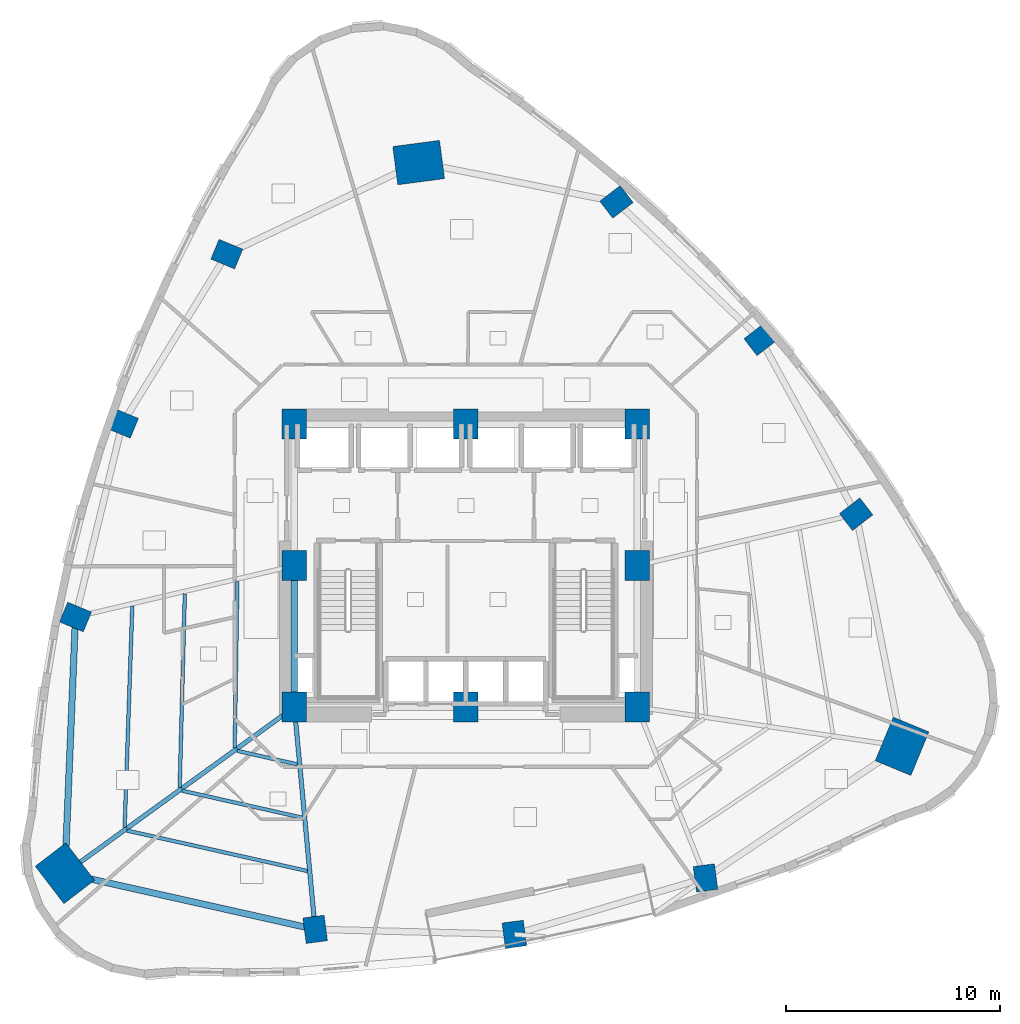
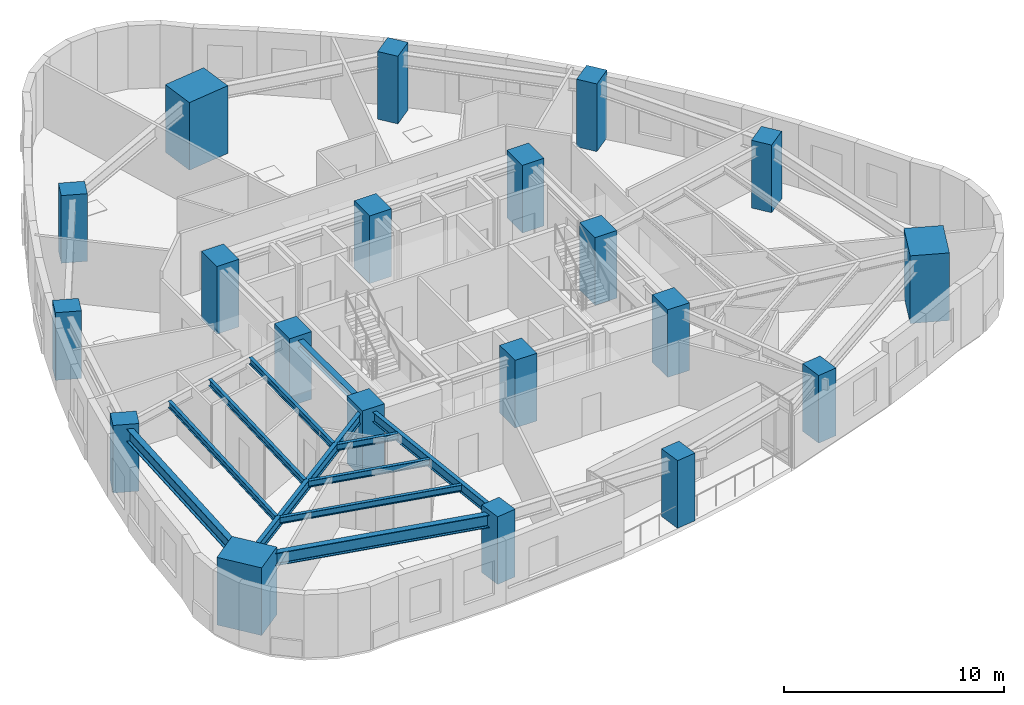
# One storey, part 1 of 12: 20 columns, 11 beams.
"""IFC4 building model written with IfcOpenShell, lengths in metres."""

from ifc_helpers import new_model, si_unit, direction, frame, origin, origin_2d, place, context, subcontext, project, spatial, rectangle, i_section, extrude, material, material_profile, profile_set, type_object, element, save


model = new_model("IFC4")

# Units and contexts
model_context = context("Model", 3, precision=1e-05, world=origin(), true_north=direction((0.0, 1.0)))
body_context = subcontext(model_context, "Body", "Model", "MODEL_VIEW")
ifc_project = project(units=[si_unit("LENGTHUNIT", "METRE"), si_unit("AREAUNIT", "SQUARE_METRE"), si_unit("VOLUMEUNIT", "CUBIC_METRE"), si_unit("PLANEANGLEUNIT", "RADIAN"), si_unit("MASSUNIT", "GRAM", prefix="KILO")], contexts=[model_context])

# Site, building, storey
site_placement = place(None, origin())
site = spatial("IfcSite", under=ifc_project, at=site_placement, CompositionType="ELEMENT")
building_placement = place(site_placement, origin())
building = spatial("IfcBuilding", under=site, at=building_placement, Name="Ndelora Gate Hotel", CompositionType="ELEMENT")
storey_placement = place(building_placement, frame((0.0, 0.0, 75.5)))
storey = spatial("IfcBuildingStorey", under=building, at=storey_placement, Name="L18", CompositionType="ELEMENT", Elevation=75.5)

# Columns
ifc_material_1 = material(Name="Concrete C60/75", Category="concrete")
ifc_material_profile_1 = material_profile(ifc_material_1, rectangle(XDim=1.14990234375, YDim=1.39990234375, at=origin_2d()), Name="RC 1400x1150")
ifc_profile_set_1 = profile_set([ifc_material_profile_1], Name="Concrete C60/75")
column_type_1 = type_object("IfcColumnType", Name="COL-CC-LOW", PredefinedType="COLUMN", material=ifc_profile_set_1)
for number, where, z_axis, x_axis, name in (
    (1, (-8.0, -6.60009765625, 0.0), (0.0, 0.0, 1.0), (1.0, 0.0, 0.0), "L18 Core Column CC1"),
    (2, (0.0, -6.60009765625, 0.0), (0.0, 0.0, 1.0), (1.0, 0.0, 0.0), "L18 Core Column CC2"),
    (3, (8.0, -6.60009765625, 0.0), (0.0, 0.0, 1.0), (1.0, 0.0, 0.0), "L18 Core Column CC3"),
    (4, (8.0, 0.0, 0.0), (0.0, 0.0, 1.0), (1.0, 0.0, 0.0), "L18 Core Column CC4"),
    (5, (8.0, 6.60009765625, 0.0), (0.0, 0.0, 1.0), (1.0, 0.0, 0.0), "L18 Core Column CC5"),
    (6, (0.0, 6.60009765625, 0.0), (0.0, 0.0, 1.0), (1.0, 0.0, 0.0), "L18 Core Column CC6"),
    (7, (-8.0, 6.60009765625, 0.0), (0.0, 0.0, 1.0), (1.0, 0.0, 0.0), "L18 Core Column CC7"),
    (8, (-8.0, 0.0, 0.0), (0.0, 0.0, 1.0), (1.0, 0.0, 0.0), "L18 Core Column CC8"),
):
    element("IfcColumn", number, at=place(storey_placement, frame(where, z_axis=z_axis, x_axis=x_axis)), inside=storey, type_object=column_type_1, Name=name, PredefinedType="COLUMN", context=body_context, shape_type="SweptSolid", body=[
        extrude(rectangle(XDim=1.14990234375, YDim=1.39990234375, at=origin_2d()), origin(), (0.0, 0.0, 1.0), 3.75),
    ])
ifc_material_profile_2 = material_profile(ifc_material_1, rectangle(XDim=1.800048828125, YDim=2.199951171875, at=origin_2d()), Name="RC 2200x1800")
ifc_profile_set_2 = profile_set([ifc_material_profile_2], Name="Concrete C60/75")
column_type_2 = type_object("IfcColumnType", Name="COL-MC-Z1", PredefinedType="COLUMN", material=ifc_profile_set_2)
for number, where, z_axis, x_axis, name in (
    (9, (-2.199951171875, 18.800048828125, 0.0), (0.0, 0.0, 1.0), (-0.13052619222, 0.991444861374, 0.0), "L18 Corner Mega-Column R1"),
    (10, (-18.701904296875, -14.3505859375, 0.0), (0.0, 0.0, 1.0), (0.793353340291, 0.608761429009, 0.0), "L18 Corner Mega-Column R5"),
    (11, (20.35009765625, -8.42919921875, 0.0), (0.0, 0.0, 1.0), (-0.923879532511, 0.382683432365, 0.0), "L18 Corner Mega-Column R9"),
):
    element("IfcColumn", number, at=place(storey_placement, frame(where, z_axis=z_axis, x_axis=x_axis)), inside=storey, type_object=column_type_2, Name=name, PredefinedType="COLUMN", context=body_context, shape_type="SweptSolid", body=[
        extrude(rectangle(XDim=1.800048828125, YDim=2.199951171875, at=origin_2d()), origin(), (0.0, 0.0, 1.0), 3.75),
    ])
ifc_material_profile_3 = material_profile(ifc_material_1, rectangle(XDim=1.0, YDim=1.199951171875, at=origin_2d()), Name="RC 1200x1000")
ifc_profile_set_3 = profile_set([ifc_material_profile_3], Name="Concrete C60/75")
column_type_3 = type_object("IfcColumnType", Name="COL-PT-Z1", PredefinedType="COLUMN", material=ifc_profile_set_3)
for number, where, z_axis, x_axis, name in (
    (12, (-11.1484375, 14.529052734375, 0.0), (0.0, 0.0, 1.0), (0.382683432365, 0.923879532511, 0.0), "L18 Perimeter Tube Column R2"),
    (13, (-16.016845703125, 6.634521484375, 0.0), (0.0, 0.0, 1.0), (0.382683432365, 0.923879532511, 0.0), "L18 Perimeter Tube Column R3"),
    (14, (-18.207275390625, -2.39697265625, 0.0), (0.0, 0.0, 1.0), (0.382683432365, 0.923879532511, 0.0), "L18 Perimeter Tube Column R4"),
    (15, (-7.027587890625, -16.96630859375, 0.0), (0.0, 0.0, 1.0), (0.991444861374, 0.13052619222, 0.0), "L18 Perimeter Tube Column R6"),
    (16, (2.2646484375, -17.20166015625, 0.0), (0.0, 0.0, 1.0), (0.991444861374, 0.13052619222, 0.0), "L18 Perimeter Tube Column R7"),
    (17, (11.179443359375, -14.5693359375, 0.0), (0.0, 0.0, 1.0), (0.991444861374, 0.13052619222, 0.0), "L18 Perimeter Tube Column R8"),
    (18, (18.207275390625, 2.39697265625, 0.0), (0.0, 0.0, 1.0), (-0.608761429009, 0.793353340291, 0.0), "L18 Perimeter Tube Column R10"),
    (19, (13.75390625, 10.5537109375, 0.0), (0.0, 0.0, 1.0), (-0.608761429009, 0.793353340291, 0.0), "L18 Perimeter Tube Column R11"),
    (20, (7.027587890625, 16.96630859375, 0.0), (0.0, 0.0, 1.0), (-0.608761429009, 0.793353340291, 0.0), "L18 Perimeter Tube Column R12"),
):
    element("IfcColumn", number, at=place(storey_placement, frame(where, z_axis=z_axis, x_axis=x_axis)), inside=storey, type_object=column_type_3, Name=name, PredefinedType="COLUMN", context=body_context, shape_type="SweptSolid", body=[
        extrude(rectangle(XDim=1.0, YDim=1.199951171875, at=origin_2d()), origin(), (0.0, 0.0, 1.0), 3.75),
    ])

# Beams
ifc_material_2 = material(Name="Steel S355", Category="steel")
ifc_material_profile_4 = material_profile(ifc_material_2, i_section(OverallWidth=0.300048828125, OverallDepth=0.39990234375, WebThickness=0.013427734375, FlangeThickness=0.02392578125, FilletRadius=0.027099609375, at=origin_2d()), Name="HEB 400")
ifc_profile_set_4 = profile_set([ifc_material_profile_4], Name="Steel S355")
beam_type_1 = type_object("IfcBeamType", Name="BM-CORE-400", PredefinedType="BEAM", material=ifc_profile_set_4)
beam_1_placement = place(storey_placement, frame((-8.0, -6.60009765625, 3.300048828125), z_axis=(0.0, 1.0, 0.0), x_axis=(-1.0, 0.0, 0.0)))
element("IfcBeam", 21, at=beam_1_placement, inside=storey, type_object=beam_type_1, Name="L18 Core Tie Girder CC1-CC8", PredefinedType="BEAM", context=body_context, shape_type="SweptSolid", body=[
    extrude(i_section(OverallWidth=0.300048828125, OverallDepth=0.39990234375, WebThickness=0.013427734375, FlangeThickness=0.02392578125, FilletRadius=0.027099609375, at=origin_2d()), origin(), (0.0, 0.0, 1.0), 6.60009765625),
])
ifc_material_profile_5 = material_profile(ifc_material_2, i_section(OverallWidth=0.169921875, OverallDepth=0.360107421875, WebThickness=0.008056640625, FlangeThickness=0.0126953125, FilletRadius=0.01806640625, at=origin_2d()), Name="IPE 360")
ifc_profile_set_5 = profile_set([ifc_material_profile_5], Name="Steel S355")
beam_type_2 = type_object("IfcBeamType", Name="BM-JST-360", PredefinedType="JOIST", material=ifc_profile_set_5)
beam_2_placement = place(storey_placement, frame((-10.65576171875, -0.73828125, 3.320068359375), z_axis=(-0.016071150123, -0.999870850727, 0.0), x_axis=(0.999870850727, -0.016071150123, 0.0)))
element("IfcBeam", 22, at=beam_2_placement, inside=storey, type_object=beam_type_2, Name="L18 Secondary Composite Floor Joist IN-4", PredefinedType="JOIST", context=body_context, shape_type="SweptSolid", body=[
    extrude(i_section(OverallWidth=0.169921875, OverallDepth=0.360107421875, WebThickness=0.008056640625, FlangeThickness=0.0126953125, FilletRadius=0.01806640625, at=origin_2d()), origin(), (0.0, 0.0, 1.0), 7.7626953125),
])
beam_3_placement = place(storey_placement, frame((-13.106689453125, -1.3134765625, 3.320068359375), z_axis=(-0.02665287705, -0.999644748971, 0.0), x_axis=(0.999644748971, -0.02665287705, 0.0)))
element("IfcBeam", 23, at=beam_3_placement, inside=storey, type_object=beam_type_2, Name="L18 Secondary Composite Floor Joist MID-4", PredefinedType="JOIST", context=body_context, shape_type="SweptSolid", body=[
    extrude(i_section(OverallWidth=0.169921875, OverallDepth=0.360107421875, WebThickness=0.008056640625, FlangeThickness=0.0126953125, FilletRadius=0.01806640625, at=origin_2d()), origin(), (0.0, 0.0, 1.0), 9.050048828125),
])
beam_4_placement = place(storey_placement, frame((-15.557373046875, -1.888671875, 3.320068359375), z_axis=(-0.034620883261, -0.999400517532, 0.0), x_axis=(0.999400517532, -0.034620883261, 0.0)))
element("IfcBeam", 24, at=beam_4_placement, inside=storey, type_object=beam_type_2, Name="L18 Secondary Composite Floor Joist OUT-4", PredefinedType="JOIST", context=body_context, shape_type="SweptSolid", body=[
    extrude(i_section(OverallWidth=0.169921875, OverallDepth=0.360107421875, WebThickness=0.008056640625, FlangeThickness=0.0126953125, FilletRadius=0.01806640625, at=origin_2d()), origin(), (0.0, 0.0, 1.0), 10.337890625),
])
beam_5_placement = place(storey_placement, frame((-10.67041015625, -8.640380859375, 3.320068359375), z_axis=(0.975820751938, -0.218572322325, 0.0), x_axis=(0.218572322325, 0.975820751938, 0.0)))
element("IfcBeam", 25, at=beam_5_placement, inside=storey, type_object=beam_type_2, Name="L18 Secondary Composite Floor Joist IN-5", PredefinedType="JOIST", context=body_context, shape_type="SweptSolid", body=[
    extrude(i_section(OverallWidth=0.169921875, OverallDepth=0.360107421875, WebThickness=0.008056640625, FlangeThickness=0.0126953125, FilletRadius=0.01806640625, at=origin_2d()), origin(), (0.0, 0.0, 1.0), 2.880615234375),
])
beam_6_placement = place(storey_placement, frame((-13.23876953125, -10.50048828125, 3.320068359375), z_axis=(0.975805037012, -0.218642470123, 0.0), x_axis=(0.218642470123, 0.975805037012, 0.0)))
element("IfcBeam", 26, at=beam_6_placement, inside=storey, type_object=beam_type_2, Name="L18 Secondary Composite Floor Joist MID-5", PredefinedType="JOIST", context=body_context, shape_type="SweptSolid", body=[
    extrude(i_section(OverallWidth=0.169921875, OverallDepth=0.360107421875, WebThickness=0.008056640625, FlangeThickness=0.0126953125, FilletRadius=0.01806640625, at=origin_2d()), origin(), (0.0, 0.0, 1.0), 5.751708984375),
])
beam_7_placement = place(storey_placement, frame((-15.80712890625, -12.360595703125, 3.320068359375), z_axis=(0.975802493229, -0.218653822759, 0.0), x_axis=(0.218653822759, 0.975802493229, 0.0)))
element("IfcBeam", 27, at=beam_7_placement, inside=storey, type_object=beam_type_2, Name="L18 Secondary Composite Floor Joist OUT-5", PredefinedType="JOIST", context=body_context, shape_type="SweptSolid", body=[
    extrude(i_section(OverallWidth=0.169921875, OverallDepth=0.360107421875, WebThickness=0.008056640625, FlangeThickness=0.0126953125, FilletRadius=0.01806640625, at=origin_2d()), origin(), (0.0, 0.0, 1.0), 8.623291015625),
])
ifc_material_profile_6 = material_profile(ifc_material_2, i_section(OverallWidth=0.2099609375, OverallDepth=0.550048828125, WebThickness=0.010986328125, FlangeThickness=0.01708984375, FilletRadius=0.02392578125, at=origin_2d()), Name="IPE 550")
ifc_profile_set_6 = profile_set([ifc_material_profile_6], Name="Steel S355")
beam_type_3 = type_object("IfcBeamType", Name="BM-RAD-550", PredefinedType="BEAM", material=ifc_profile_set_6)
beam_8_placement = place(storey_placement, frame((-8.0, -6.60009765625, 3.22509765625), z_axis=(-0.809912157619, -0.586551188679, 0.0), x_axis=(0.586551188679, -0.809912157619, 0.0)))
element("IfcBeam", 28, at=beam_8_placement, inside=storey, type_object=beam_type_3, Name="L18 Radial Floor Girder 5", PredefinedType="BEAM", context=body_context, shape_type="SweptSolid", body=[
    extrude(i_section(OverallWidth=0.2099609375, OverallDepth=0.550048828125, WebThickness=0.010986328125, FlangeThickness=0.01708984375, FilletRadius=0.02392578125, at=origin_2d()), origin(), (0.0, 0.0, 1.0), 13.213623046875),
])
beam_9_placement = place(storey_placement, frame((-8.0, -6.60009765625, 3.22509765625), z_axis=(0.093395913855, -0.995629049031, 0.0), x_axis=(0.995629049031, 0.093395913855, 0.0)))
element("IfcBeam", 29, at=beam_9_placement, inside=storey, type_object=beam_type_3, Name="L18 Radial Floor Girder 6", PredefinedType="BEAM", context=body_context, shape_type="SweptSolid", body=[
    extrude(i_section(OverallWidth=0.2099609375, OverallDepth=0.550048828125, WebThickness=0.010986328125, FlangeThickness=0.01708984375, FilletRadius=0.02392578125, at=origin_2d()), origin(), (0.0, 0.0, 1.0), 10.41162109375),
])
ifc_material_profile_7 = material_profile(ifc_material_2, i_section(OverallWidth=0.300048828125, OverallDepth=0.699951171875, WebThickness=0.01708984375, FlangeThickness=0.031982421875, FilletRadius=0.027099609375, at=origin_2d()), Name="HEB 700")
ifc_profile_set_7 = profile_set([ifc_material_profile_7], Name="Steel S355")
beam_type_4 = type_object("IfcBeamType", Name="BM-RING-700", PredefinedType="SPANDREL", material=ifc_profile_set_7)
for number, where, z_axis, x_axis, name in (
    (30, (-18.207275390625, -2.39697265625, 3.14990234375), (-0.041343648978, -0.99914498582, 0.0), (0.99914498582, -0.041343648978, 0.0), "L18 Perimeter Spandrel Girder 4"),
    (31, (-18.701904296875, -14.3505859375, 3.14990234375), (0.97580624377, -0.218637084273, 0.0), (0.218637084273, 0.97580624377, 0.0), "L18 Perimeter Spandrel Girder 5"),
):
    element("IfcBeam", number, at=place(storey_placement, frame(where, z_axis=z_axis, x_axis=x_axis)), inside=storey, type_object=beam_type_4, Name=name, PredefinedType="SPANDREL", context=body_context, shape_type="SweptSolid", body=[
        extrude(i_section(OverallWidth=0.300048828125, OverallDepth=0.699951171875, WebThickness=0.01708984375, FlangeThickness=0.031982421875, FilletRadius=0.027099609375, at=origin_2d()), origin(), (0.0, 0.0, 1.0), 11.9638671875),
    ])

save(model, "model.ifc")
